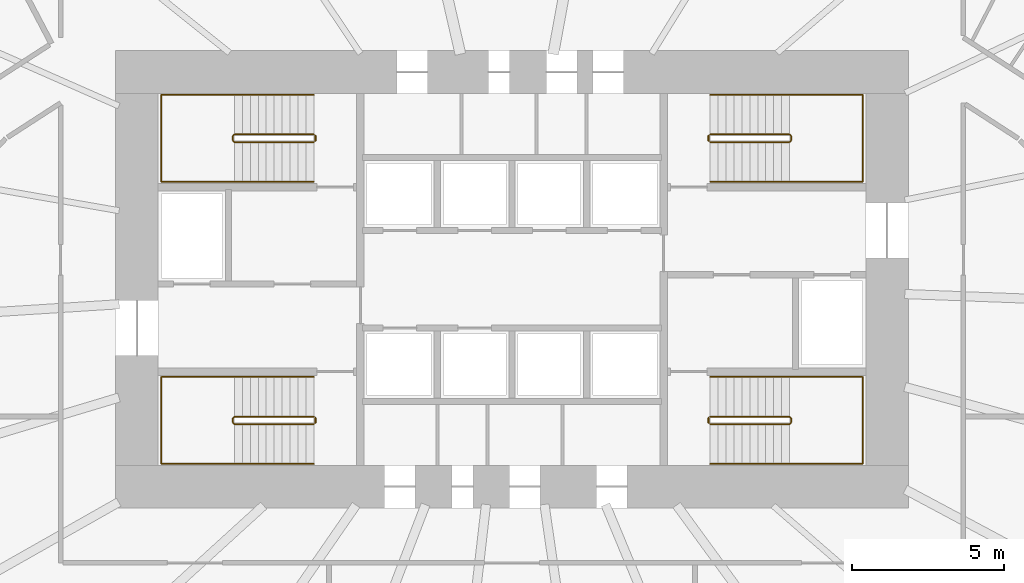
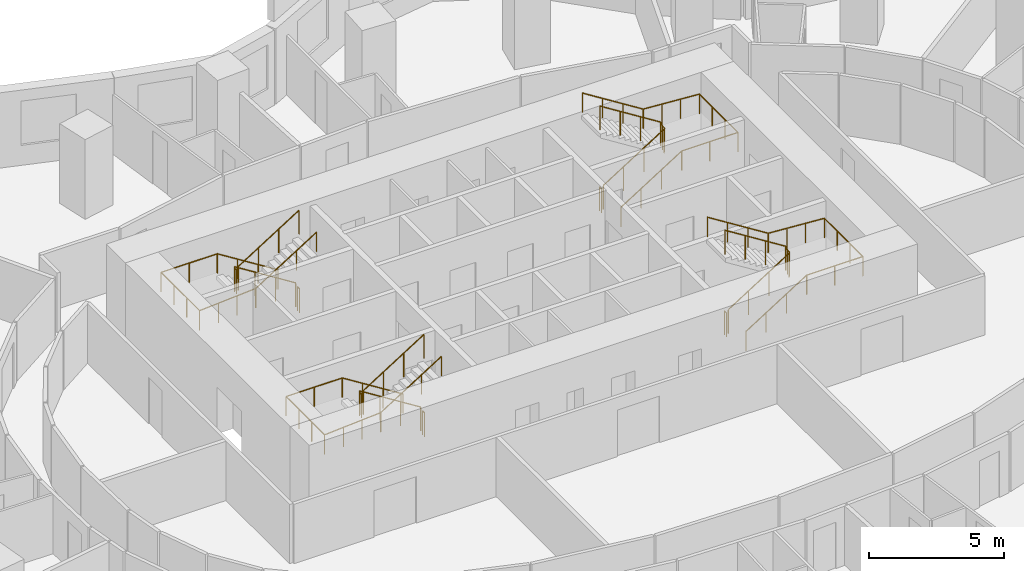
# One storey, part 11 of 11: 12 railings.
"""IFC4 building model written with IfcOpenShell, lengths in metres."""

from ifc_helpers import new_model, si_unit, direction, frame, origin, origin_2d, place, context, subcontext, project, spatial, circle, extrude, material, type_object, element, save


model = new_model("IFC4")

# Units and contexts
model_context = context("Model", 3, precision=1e-05, world=origin(), true_north=direction((0.0, 1.0)))
body_context = subcontext(model_context, "Body", "Model", "MODEL_VIEW")
ifc_project = project(units=[si_unit("LENGTHUNIT", "METRE"), si_unit("AREAUNIT", "SQUARE_METRE"), si_unit("VOLUMEUNIT", "CUBIC_METRE"), si_unit("PLANEANGLEUNIT", "RADIAN"), si_unit("MASSUNIT", "GRAM", prefix="KILO")], contexts=[model_context])

# Site, building, storey
site_placement = place(None, origin())
site = spatial("IfcSite", under=ifc_project, at=site_placement, CompositionType="ELEMENT")
building_placement = place(site_placement, origin())
building = spatial("IfcBuilding", under=site, at=building_placement, Name="Rubra Terraces Tower", CompositionType="ELEMENT")
storey_placement = place(building_placement, frame((0.0, 0.0, 66.300048828125)))
storey = spatial("IfcBuildingStorey", under=building, at=storey_placement, Name="L14", CompositionType="ELEMENT", Elevation=66.300048828125)

# Railings
ifc_material = material(Name="Stainless steel", Category="steel")
railing_type_1 = type_object("IfcRailingType", Name="Core stair guard 1100", PredefinedType="GUARDRAIL", material=ifc_material)
railing_1_placement = place(storey_placement, frame((-6.5, 0.0, 0.16357421875)))
element("IfcRailing", 1, at=railing_1_placement, inside=storey, type_object=railing_type_1, Name="L14 stair S1 guard 1", PredefinedType="GUARDRAIL", context=body_context, shape_type="SweptSolid", body=[
    extrude(circle(Radius=0.02392578125, at=origin_2d()), frame((0.0, 0.0, 1.076171875), z_axis=(-0.846324394277, 0.0, 0.532667832379), x_axis=(0.0, -1.0, 0.0)), (0.0, 0.0, 1.0), 3.072265625),
    extrude(circle(Radius=0.02392578125, at=origin_2d()), frame((-2.60009765625, 0.0, 2.71240234375), z_axis=(-0.705375805398, -0.708833529934, 0.0), x_axis=(0.708833529934, -0.705375805398, 0.0)), (0.0, 0.0, 1.0), 0.070556640625),
    extrude(circle(Radius=0.02392578125, at=origin_2d()), frame((-2.64990234375, -0.050048828125, 2.71240234375), z_axis=(0.0, -1.0, 0.0), x_axis=(1.0, 0.0, 0.0)), (0.0, 0.0, 1.0), 0.14990234375),
    extrude(circle(Radius=0.02392578125, at=origin_2d()), frame((-2.64990234375, -0.199951171875, 2.71240234375), z_axis=(0.279546231943, -0.280916556609, 0.91811752648), x_axis=(0.708833529934, 0.705375805398, 0.0)), (0.0, 0.0, 1.0), 0.17822265625),
    extrude(circle(Radius=0.02392578125, at=origin_2d()), frame((-2.60009765625, -0.25, 2.8759765625), z_axis=(0.846360218416, 0.0, 0.532610909279), x_axis=(0.0, 1.0, 0.0)), (0.0, 0.0, 1.0), 3.072021484375),
    extrude(circle(Radius=0.02099609375, at=origin_2d()), origin(), (0.0, 0.0, 1.0), 1.052001953125),
    extrude(circle(Radius=0.02099609375, at=origin_2d()), frame((-0.86669921875, 0.0, 0.54541015625)), (0.0, 0.0, 1.0), 1.052001953125),
    extrude(circle(Radius=0.02099609375, at=origin_2d()), frame((-1.7333984375, 0.0, 1.091064453125)), (0.0, 0.0, 1.0), 1.052001953125),
    extrude(circle(Radius=0.02099609375, at=origin_2d()), frame((-2.60009765625, 0.0, 1.636474609375)), (0.0, 0.0, 1.0), 1.052001953125),
    extrude(circle(Radius=0.02099609375, at=origin_2d()), frame((-2.64990234375, -0.050048828125, 1.636474609375)), (0.0, 0.0, 1.0), 1.052001953125),
    extrude(circle(Radius=0.02099609375, at=origin_2d()), frame((-2.64990234375, -0.199951171875, 1.636474609375)), (0.0, 0.0, 1.0), 1.052001953125),
    extrude(circle(Radius=0.02099609375, at=origin_2d()), frame((-2.60009765625, -0.25, 1.800048828125)), (0.0, 0.0, 1.0), 1.052001953125),
    extrude(circle(Radius=0.02099609375, at=origin_2d()), frame((-1.7333984375, -0.25, 2.345458984375)), (0.0, 0.0, 1.0), 1.052001953125),
    extrude(circle(Radius=0.02099609375, at=origin_2d()), frame((-0.86669921875, -0.25, 2.890869140625)), (0.0, 0.0, 1.0), 1.052001953125),
    extrude(circle(Radius=0.02099609375, at=origin_2d()), frame((0.0, -0.25, 3.436279296875)), (0.0, 0.0, 1.0), 1.052001953125),
])
railing_2_placement = place(storey_placement, frame((-6.449951171875, -0.050048828125, 0.0)))
element("IfcRailing", 2, at=railing_2_placement, inside=storey, type_object=railing_type_1, Name="L14 stair S1 guard 2", PredefinedType="GUARDRAIL", context=body_context, shape_type="SweptSolid", body=[
    extrude(circle(Radius=0.02392578125, at=origin_2d()), frame((0.0, 0.0, 1.076171875), z_axis=(0.0, -1.0, 0.0), x_axis=(1.0, 0.0, 0.0)), (0.0, 0.0, 1.0), 0.14990234375),
    extrude(circle(Radius=0.02099609375, at=origin_2d()), origin(), (0.0, 0.0, 1.0), 1.052001953125),
    extrude(circle(Radius=0.02099609375, at=origin_2d()), frame((0.0, -0.14990234375, 0.0)), (0.0, 0.0, 1.0), 1.052001953125),
])
railing_3_placement = place(storey_placement, frame((-6.5, 9.25, 0.16357421875)))
element("IfcRailing", 3, at=railing_3_placement, inside=storey, type_object=railing_type_1, Name="L14 stair S2 guard 1", PredefinedType="GUARDRAIL", context=body_context, shape_type="SweptSolid", body=[
    extrude(circle(Radius=0.02392578125, at=origin_2d()), frame((0.0, 0.0, 1.076171875), z_axis=(-0.846324394277, 0.0, 0.532667832379), x_axis=(0.0, -1.0, 0.0)), (0.0, 0.0, 1.0), 3.072265625),
    extrude(circle(Radius=0.02392578125, at=origin_2d()), frame((-2.60009765625, 0.0, 2.71240234375), z_axis=(-0.705375805398, -0.708833529934, 0.0), x_axis=(0.708833529934, -0.705375805398, 0.0)), (0.0, 0.0, 1.0), 0.070556640625),
    extrude(circle(Radius=0.02392578125, at=origin_2d()), frame((-2.64990234375, -0.050048828125, 2.71240234375), z_axis=(0.0, -1.0, 0.0), x_axis=(1.0, 0.0, 0.0)), (0.0, 0.0, 1.0), 0.14990234375),
    extrude(circle(Radius=0.02392578125, at=origin_2d()), frame((-2.64990234375, -0.199951171875, 2.71240234375), z_axis=(0.279546231943, -0.280916556609, 0.91811752648), x_axis=(0.708833529934, 0.705375805398, 0.0)), (0.0, 0.0, 1.0), 0.17822265625),
    extrude(circle(Radius=0.02392578125, at=origin_2d()), frame((-2.60009765625, -0.25, 2.8759765625), z_axis=(0.846360218416, 0.0, 0.532610909279), x_axis=(0.0, 1.0, 0.0)), (0.0, 0.0, 1.0), 3.072021484375),
    extrude(circle(Radius=0.02099609375, at=origin_2d()), origin(), (0.0, 0.0, 1.0), 1.052001953125),
    extrude(circle(Radius=0.02099609375, at=origin_2d()), frame((-0.86669921875, 0.0, 0.54541015625)), (0.0, 0.0, 1.0), 1.052001953125),
    extrude(circle(Radius=0.02099609375, at=origin_2d()), frame((-1.7333984375, 0.0, 1.091064453125)), (0.0, 0.0, 1.0), 1.052001953125),
    extrude(circle(Radius=0.02099609375, at=origin_2d()), frame((-2.60009765625, 0.0, 1.636474609375)), (0.0, 0.0, 1.0), 1.052001953125),
    extrude(circle(Radius=0.02099609375, at=origin_2d()), frame((-2.64990234375, -0.050048828125, 1.636474609375)), (0.0, 0.0, 1.0), 1.052001953125),
    extrude(circle(Radius=0.02099609375, at=origin_2d()), frame((-2.64990234375, -0.199951171875, 1.636474609375)), (0.0, 0.0, 1.0), 1.052001953125),
    extrude(circle(Radius=0.02099609375, at=origin_2d()), frame((-2.60009765625, -0.25, 1.800048828125)), (0.0, 0.0, 1.0), 1.052001953125),
    extrude(circle(Radius=0.02099609375, at=origin_2d()), frame((-1.7333984375, -0.25, 2.345458984375)), (0.0, 0.0, 1.0), 1.052001953125),
    extrude(circle(Radius=0.02099609375, at=origin_2d()), frame((-0.86669921875, -0.25, 2.890869140625)), (0.0, 0.0, 1.0), 1.052001953125),
    extrude(circle(Radius=0.02099609375, at=origin_2d()), frame((0.0, -0.25, 3.436279296875)), (0.0, 0.0, 1.0), 1.052001953125),
])
railing_4_placement = place(storey_placement, frame((-6.449951171875, 9.199951171875, 0.0)))
element("IfcRailing", 4, at=railing_4_placement, inside=storey, type_object=railing_type_1, Name="L14 stair S2 guard 2", PredefinedType="GUARDRAIL", context=body_context, shape_type="SweptSolid", body=[
    extrude(circle(Radius=0.02392578125, at=origin_2d()), frame((0.0, 0.0, 1.076171875), z_axis=(0.0, -1.0, 0.0), x_axis=(1.0, 0.0, 0.0)), (0.0, 0.0, 1.0), 0.14990234375),
    extrude(circle(Radius=0.02099609375, at=origin_2d()), origin(), (0.0, 0.0, 1.0), 1.052001953125),
    extrude(circle(Radius=0.02099609375, at=origin_2d()), frame((0.0, -0.14990234375, 0.0)), (0.0, 0.0, 1.0), 1.052001953125),
])
railing_5_placement = place(storey_placement, frame((6.5, 9.0, 0.16357421875)))
element("IfcRailing", 5, at=railing_5_placement, inside=storey, type_object=railing_type_1, Name="L14 stair S3 guard 1", PredefinedType="GUARDRAIL", context=body_context, shape_type="SweptSolid", body=[
    extrude(circle(Radius=0.02392578125, at=origin_2d()), frame((0.0, 0.0, 1.076171875), z_axis=(0.846324394277, 0.0, 0.532667832379), x_axis=(0.0, 1.0, 0.0)), (0.0, 0.0, 1.0), 3.072265625),
    extrude(circle(Radius=0.02392578125, at=origin_2d()), frame((2.60009765625, 0.0, 2.71240234375), z_axis=(0.705375805398, 0.708833529934, 0.0), x_axis=(-0.708833529934, 0.705375805398, 0.0)), (0.0, 0.0, 1.0), 0.070556640625),
    extrude(circle(Radius=0.02392578125, at=origin_2d()), frame((2.64990234375, 0.050048828125, 2.71240234375), z_axis=(0.0, 1.0, 0.0), x_axis=(-1.0, 0.0, 0.0)), (0.0, 0.0, 1.0), 0.14990234375),
    extrude(circle(Radius=0.02392578125, at=origin_2d()), frame((2.64990234375, 0.199951171875, 2.71240234375), z_axis=(-0.279546231943, 0.280916556609, 0.91811752648), x_axis=(-0.708833529934, -0.705375805398, 0.0)), (0.0, 0.0, 1.0), 0.17822265625),
    extrude(circle(Radius=0.02392578125, at=origin_2d()), frame((2.60009765625, 0.25, 2.8759765625), z_axis=(-0.846360218416, 0.0, 0.532610909279), x_axis=(0.0, -1.0, 0.0)), (0.0, 0.0, 1.0), 3.072021484375),
    extrude(circle(Radius=0.02099609375, at=origin_2d()), origin(), (0.0, 0.0, 1.0), 1.052001953125),
    extrude(circle(Radius=0.02099609375, at=origin_2d()), frame((0.86669921875, 0.0, 0.54541015625)), (0.0, 0.0, 1.0), 1.052001953125),
    extrude(circle(Radius=0.02099609375, at=origin_2d()), frame((1.7333984375, 0.0, 1.091064453125)), (0.0, 0.0, 1.0), 1.052001953125),
    extrude(circle(Radius=0.02099609375, at=origin_2d()), frame((2.60009765625, 0.0, 1.636474609375)), (0.0, 0.0, 1.0), 1.052001953125),
    extrude(circle(Radius=0.02099609375, at=origin_2d()), frame((2.64990234375, 0.050048828125, 1.636474609375)), (0.0, 0.0, 1.0), 1.052001953125),
    extrude(circle(Radius=0.02099609375, at=origin_2d()), frame((2.64990234375, 0.199951171875, 1.636474609375)), (0.0, 0.0, 1.0), 1.052001953125),
    extrude(circle(Radius=0.02099609375, at=origin_2d()), frame((2.60009765625, 0.25, 1.800048828125)), (0.0, 0.0, 1.0), 1.052001953125),
    extrude(circle(Radius=0.02099609375, at=origin_2d()), frame((1.7333984375, 0.25, 2.345458984375)), (0.0, 0.0, 1.0), 1.052001953125),
    extrude(circle(Radius=0.02099609375, at=origin_2d()), frame((0.86669921875, 0.25, 2.890869140625)), (0.0, 0.0, 1.0), 1.052001953125),
    extrude(circle(Radius=0.02099609375, at=origin_2d()), frame((0.0, 0.25, 3.436279296875)), (0.0, 0.0, 1.0), 1.052001953125),
])
railing_6_placement = place(storey_placement, frame((6.449951171875, 9.050048828125, 0.0)))
element("IfcRailing", 6, at=railing_6_placement, inside=storey, type_object=railing_type_1, Name="L14 stair S3 guard 2", PredefinedType="GUARDRAIL", context=body_context, shape_type="SweptSolid", body=[
    extrude(circle(Radius=0.02392578125, at=origin_2d()), frame((0.0, 0.0, 1.076171875), z_axis=(0.0, 1.0, 0.0), x_axis=(-1.0, 0.0, 0.0)), (0.0, 0.0, 1.0), 0.14990234375),
    extrude(circle(Radius=0.02099609375, at=origin_2d()), origin(), (0.0, 0.0, 1.0), 1.052001953125),
    extrude(circle(Radius=0.02099609375, at=origin_2d()), frame((0.0, 0.14990234375, 0.0)), (0.0, 0.0, 1.0), 1.052001953125),
])
railing_7_placement = place(storey_placement, frame((6.5, -0.25, 0.16357421875)))
element("IfcRailing", 7, at=railing_7_placement, inside=storey, type_object=railing_type_1, Name="L14 stair S4 guard 1", PredefinedType="GUARDRAIL", context=body_context, shape_type="SweptSolid", body=[
    extrude(circle(Radius=0.02392578125, at=origin_2d()), frame((0.0, 0.0, 1.076171875), z_axis=(0.846324394277, 0.0, 0.532667832379), x_axis=(0.0, 1.0, 0.0)), (0.0, 0.0, 1.0), 3.072265625),
    extrude(circle(Radius=0.02392578125, at=origin_2d()), frame((2.60009765625, 0.0, 2.71240234375), z_axis=(0.705375805398, 0.708833529934, 0.0), x_axis=(-0.708833529934, 0.705375805398, 0.0)), (0.0, 0.0, 1.0), 0.070556640625),
    extrude(circle(Radius=0.02392578125, at=origin_2d()), frame((2.64990234375, 0.050048828125, 2.71240234375), z_axis=(0.0, 1.0, 0.0), x_axis=(-1.0, 0.0, 0.0)), (0.0, 0.0, 1.0), 0.14990234375),
    extrude(circle(Radius=0.02392578125, at=origin_2d()), frame((2.64990234375, 0.199951171875, 2.71240234375), z_axis=(-0.279546231943, 0.280916556609, 0.91811752648), x_axis=(-0.708833529934, -0.705375805398, 0.0)), (0.0, 0.0, 1.0), 0.17822265625),
    extrude(circle(Radius=0.02392578125, at=origin_2d()), frame((2.60009765625, 0.25, 2.8759765625), z_axis=(-0.846360218416, 0.0, 0.532610909279), x_axis=(0.0, -1.0, 0.0)), (0.0, 0.0, 1.0), 3.072021484375),
    extrude(circle(Radius=0.02099609375, at=origin_2d()), origin(), (0.0, 0.0, 1.0), 1.052001953125),
    extrude(circle(Radius=0.02099609375, at=origin_2d()), frame((0.86669921875, 0.0, 0.54541015625)), (0.0, 0.0, 1.0), 1.052001953125),
    extrude(circle(Radius=0.02099609375, at=origin_2d()), frame((1.7333984375, 0.0, 1.091064453125)), (0.0, 0.0, 1.0), 1.052001953125),
    extrude(circle(Radius=0.02099609375, at=origin_2d()), frame((2.60009765625, 0.0, 1.636474609375)), (0.0, 0.0, 1.0), 1.052001953125),
    extrude(circle(Radius=0.02099609375, at=origin_2d()), frame((2.64990234375, 0.050048828125, 1.636474609375)), (0.0, 0.0, 1.0), 1.052001953125),
    extrude(circle(Radius=0.02099609375, at=origin_2d()), frame((2.64990234375, 0.199951171875, 1.636474609375)), (0.0, 0.0, 1.0), 1.052001953125),
    extrude(circle(Radius=0.02099609375, at=origin_2d()), frame((2.60009765625, 0.25, 1.800048828125)), (0.0, 0.0, 1.0), 1.052001953125),
    extrude(circle(Radius=0.02099609375, at=origin_2d()), frame((1.7333984375, 0.25, 2.345458984375)), (0.0, 0.0, 1.0), 1.052001953125),
    extrude(circle(Radius=0.02099609375, at=origin_2d()), frame((0.86669921875, 0.25, 2.890869140625)), (0.0, 0.0, 1.0), 1.052001953125),
    extrude(circle(Radius=0.02099609375, at=origin_2d()), frame((0.0, 0.25, 3.436279296875)), (0.0, 0.0, 1.0), 1.052001953125),
])
railing_8_placement = place(storey_placement, frame((6.449951171875, -0.199951171875, 0.0)))
element("IfcRailing", 8, at=railing_8_placement, inside=storey, type_object=railing_type_1, Name="L14 stair S4 guard 2", PredefinedType="GUARDRAIL", context=body_context, shape_type="SweptSolid", body=[
    extrude(circle(Radius=0.02392578125, at=origin_2d()), frame((0.0, 0.0, 1.076171875), z_axis=(0.0, 1.0, 0.0), x_axis=(-1.0, 0.0, 0.0)), (0.0, 0.0, 1.0), 0.14990234375),
    extrude(circle(Radius=0.02099609375, at=origin_2d()), origin(), (0.0, 0.0, 1.0), 1.052001953125),
    extrude(circle(Radius=0.02099609375, at=origin_2d()), frame((0.0, 0.14990234375, 0.0)), (0.0, 0.0, 1.0), 1.052001953125),
])
railing_type_2 = type_object("IfcRailingType", Name="Core stair handrail 900", PredefinedType="HANDRAIL", material=ifc_material)
railing_9_placement = place(storey_placement, frame((-6.5, 1.300048828125, 0.16357421875)))
element("IfcRailing", 9, at=railing_9_placement, inside=storey, type_object=railing_type_2, Name="L14 stair S1 handrail 1", PredefinedType="HANDRAIL", context=body_context, shape_type="SweptSolid", body=[
    extrude(circle(Radius=0.02392578125, at=origin_2d()), frame((0.0, 0.0, 0.8759765625), z_axis=(-0.846324394277, 0.0, 0.532667832379), x_axis=(0.0, -1.0, 0.0)), (0.0, 0.0, 1.0), 3.072265625),
    extrude(circle(Radius=0.02392578125, at=origin_2d()), frame((-2.60009765625, 0.0, 2.51220703125), z_axis=(-1.0, 0.0, 0.0), x_axis=(0.0, -1.0, 0.0)), (0.0, 0.0, 1.0), 2.39990234375),
    extrude(circle(Radius=0.02392578125, at=origin_2d()), frame((-5.0, 0.0, 2.51220703125), z_axis=(0.0, -1.0, 0.0), x_axis=(1.0, 0.0, 0.0)), (0.0, 0.0, 1.0), 2.85009765625),
    extrude(circle(Radius=0.02392578125, at=origin_2d()), frame((-5.0, -2.85009765625, 2.51220703125), z_axis=(0.997685257876, 0.0, 0.068000928055), x_axis=(0.0, 1.0, 0.0)), (0.0, 0.0, 1.0), 2.405517578125),
    extrude(circle(Radius=0.02392578125, at=origin_2d()), frame((-2.60009765625, -2.85009765625, 2.67578125), z_axis=(0.846360218416, 0.0, 0.532610909279), x_axis=(0.0, 1.0, 0.0)), (0.0, 0.0, 1.0), 3.072021484375),
    extrude(circle(Radius=0.02099609375, at=origin_2d()), origin(), (0.0, 0.0, 1.0), 0.851806640625),
    extrude(circle(Radius=0.02099609375, at=origin_2d()), frame((-0.86669921875, 0.0, 0.54541015625)), (0.0, 0.0, 1.0), 0.851806640625),
    extrude(circle(Radius=0.02099609375, at=origin_2d()), frame((-1.7333984375, 0.0, 1.091064453125)), (0.0, 0.0, 1.0), 0.851806640625),
    extrude(circle(Radius=0.02099609375, at=origin_2d()), frame((-2.60009765625, 0.0, 1.636474609375)), (0.0, 0.0, 1.0), 0.851806640625),
    extrude(circle(Radius=0.02099609375, at=origin_2d()), frame((-3.800048828125, 0.0, 1.636474609375)), (0.0, 0.0, 1.0), 0.851806640625),
    extrude(circle(Radius=0.02099609375, at=origin_2d()), frame((-5.0, 0.0, 1.636474609375)), (0.0, 0.0, 1.0), 0.851806640625),
    extrude(circle(Radius=0.02099609375, at=origin_2d()), frame((-5.0, -0.949951171875, 1.636474609375)), (0.0, 0.0, 1.0), 0.851806640625),
    extrude(circle(Radius=0.02099609375, at=origin_2d()), frame((-5.0, -1.900146484375, 1.636474609375)), (0.0, 0.0, 1.0), 0.851806640625),
    extrude(circle(Radius=0.02099609375, at=origin_2d()), frame((-5.0, -2.85009765625, 1.636474609375)), (0.0, 0.0, 1.0), 0.851806640625),
    extrude(circle(Radius=0.02099609375, at=origin_2d()), frame((-4.199951171875, -2.85009765625, 1.69091796875)), (0.0, 0.0, 1.0), 0.851806640625),
    extrude(circle(Radius=0.02099609375, at=origin_2d()), frame((-3.400146484375, -2.85009765625, 1.74560546875)), (0.0, 0.0, 1.0), 0.851806640625),
    extrude(circle(Radius=0.02099609375, at=origin_2d()), frame((-2.60009765625, -2.85009765625, 1.800048828125)), (0.0, 0.0, 1.0), 0.851806640625),
    extrude(circle(Radius=0.02099609375, at=origin_2d()), frame((-1.7333984375, -2.85009765625, 2.345458984375)), (0.0, 0.0, 1.0), 0.851806640625),
    extrude(circle(Radius=0.02099609375, at=origin_2d()), frame((-0.86669921875, -2.85009765625, 2.890869140625)), (0.0, 0.0, 1.0), 0.851806640625),
    extrude(circle(Radius=0.02099609375, at=origin_2d()), frame((0.0, -2.85009765625, 3.436279296875)), (0.0, 0.0, 1.0), 0.851806640625),
])
railing_10_placement = place(storey_placement, frame((-6.5, 10.550048828125, 0.16357421875)))
element("IfcRailing", 10, at=railing_10_placement, inside=storey, type_object=railing_type_2, Name="L14 stair S2 handrail 1", PredefinedType="HANDRAIL", context=body_context, shape_type="SweptSolid", body=[
    extrude(circle(Radius=0.02392578125, at=origin_2d()), frame((0.0, 0.0, 0.8759765625), z_axis=(-0.846324394277, 0.0, 0.532667832379), x_axis=(0.0, -1.0, 0.0)), (0.0, 0.0, 1.0), 3.072265625),
    extrude(circle(Radius=0.02392578125, at=origin_2d()), frame((-2.60009765625, 0.0, 2.51220703125), z_axis=(-1.0, 0.0, 0.0), x_axis=(0.0, -1.0, 0.0)), (0.0, 0.0, 1.0), 2.39990234375),
    extrude(circle(Radius=0.02392578125, at=origin_2d()), frame((-5.0, 0.0, 2.51220703125), z_axis=(0.0, -1.0, 0.0), x_axis=(1.0, 0.0, 0.0)), (0.0, 0.0, 1.0), 2.85009765625),
    extrude(circle(Radius=0.02392578125, at=origin_2d()), frame((-5.0, -2.85009765625, 2.51220703125), z_axis=(0.997685257876, 0.0, 0.068000928055), x_axis=(0.0, 1.0, 0.0)), (0.0, 0.0, 1.0), 2.405517578125),
    extrude(circle(Radius=0.02392578125, at=origin_2d()), frame((-2.60009765625, -2.85009765625, 2.67578125), z_axis=(0.846360218416, 0.0, 0.532610909279), x_axis=(0.0, 1.0, 0.0)), (0.0, 0.0, 1.0), 3.072021484375),
    extrude(circle(Radius=0.02099609375, at=origin_2d()), origin(), (0.0, 0.0, 1.0), 0.851806640625),
    extrude(circle(Radius=0.02099609375, at=origin_2d()), frame((-0.86669921875, 0.0, 0.54541015625)), (0.0, 0.0, 1.0), 0.851806640625),
    extrude(circle(Radius=0.02099609375, at=origin_2d()), frame((-1.7333984375, 0.0, 1.091064453125)), (0.0, 0.0, 1.0), 0.851806640625),
    extrude(circle(Radius=0.02099609375, at=origin_2d()), frame((-2.60009765625, 0.0, 1.636474609375)), (0.0, 0.0, 1.0), 0.851806640625),
    extrude(circle(Radius=0.02099609375, at=origin_2d()), frame((-3.800048828125, 0.0, 1.636474609375)), (0.0, 0.0, 1.0), 0.851806640625),
    extrude(circle(Radius=0.02099609375, at=origin_2d()), frame((-5.0, 0.0, 1.636474609375)), (0.0, 0.0, 1.0), 0.851806640625),
    extrude(circle(Radius=0.02099609375, at=origin_2d()), frame((-5.0, -0.949951171875, 1.636474609375)), (0.0, 0.0, 1.0), 0.851806640625),
    extrude(circle(Radius=0.02099609375, at=origin_2d()), frame((-5.0, -1.900146484375, 1.636474609375)), (0.0, 0.0, 1.0), 0.851806640625),
    extrude(circle(Radius=0.02099609375, at=origin_2d()), frame((-5.0, -2.85009765625, 1.636474609375)), (0.0, 0.0, 1.0), 0.851806640625),
    extrude(circle(Radius=0.02099609375, at=origin_2d()), frame((-4.199951171875, -2.85009765625, 1.69091796875)), (0.0, 0.0, 1.0), 0.851806640625),
    extrude(circle(Radius=0.02099609375, at=origin_2d()), frame((-3.400146484375, -2.85009765625, 1.74560546875)), (0.0, 0.0, 1.0), 0.851806640625),
    extrude(circle(Radius=0.02099609375, at=origin_2d()), frame((-2.60009765625, -2.85009765625, 1.800048828125)), (0.0, 0.0, 1.0), 0.851806640625),
    extrude(circle(Radius=0.02099609375, at=origin_2d()), frame((-1.7333984375, -2.85009765625, 2.345458984375)), (0.0, 0.0, 1.0), 0.851806640625),
    extrude(circle(Radius=0.02099609375, at=origin_2d()), frame((-0.86669921875, -2.85009765625, 2.890869140625)), (0.0, 0.0, 1.0), 0.851806640625),
    extrude(circle(Radius=0.02099609375, at=origin_2d()), frame((0.0, -2.85009765625, 3.436279296875)), (0.0, 0.0, 1.0), 0.851806640625),
])
railing_11_placement = place(storey_placement, frame((6.5, 7.699951171875, 0.16357421875)))
element("IfcRailing", 11, at=railing_11_placement, inside=storey, type_object=railing_type_2, Name="L14 stair S3 handrail 1", PredefinedType="HANDRAIL", context=body_context, shape_type="SweptSolid", body=[
    extrude(circle(Radius=0.02392578125, at=origin_2d()), frame((0.0, 0.0, 0.8759765625), z_axis=(0.846324394277, 0.0, 0.532667832379), x_axis=(0.0, 1.0, 0.0)), (0.0, 0.0, 1.0), 3.072265625),
    extrude(circle(Radius=0.02392578125, at=origin_2d()), frame((2.60009765625, 0.0, 2.51220703125), z_axis=(1.0, 0.0, 0.0), x_axis=(0.0, 1.0, 0.0)), (0.0, 0.0, 1.0), 2.39990234375),
    extrude(circle(Radius=0.02392578125, at=origin_2d()), frame((5.0, 0.0, 2.51220703125), z_axis=(0.0, 1.0, 0.0), x_axis=(-1.0, 0.0, 0.0)), (0.0, 0.0, 1.0), 2.85009765625),
    extrude(circle(Radius=0.02392578125, at=origin_2d()), frame((5.0, 2.85009765625, 2.51220703125), z_axis=(-0.997685257876, 0.0, 0.068000928055), x_axis=(0.0, -1.0, 0.0)), (0.0, 0.0, 1.0), 2.405517578125),
    extrude(circle(Radius=0.02392578125, at=origin_2d()), frame((2.60009765625, 2.85009765625, 2.67578125), z_axis=(-0.846360218416, 0.0, 0.532610909279), x_axis=(0.0, -1.0, 0.0)), (0.0, 0.0, 1.0), 3.072021484375),
    extrude(circle(Radius=0.02099609375, at=origin_2d()), origin(), (0.0, 0.0, 1.0), 0.851806640625),
    extrude(circle(Radius=0.02099609375, at=origin_2d()), frame((0.86669921875, 0.0, 0.54541015625)), (0.0, 0.0, 1.0), 0.851806640625),
    extrude(circle(Radius=0.02099609375, at=origin_2d()), frame((1.7333984375, 0.0, 1.091064453125)), (0.0, 0.0, 1.0), 0.851806640625),
    extrude(circle(Radius=0.02099609375, at=origin_2d()), frame((2.60009765625, 0.0, 1.636474609375)), (0.0, 0.0, 1.0), 0.851806640625),
    extrude(circle(Radius=0.02099609375, at=origin_2d()), frame((3.800048828125, 0.0, 1.636474609375)), (0.0, 0.0, 1.0), 0.851806640625),
    extrude(circle(Radius=0.02099609375, at=origin_2d()), frame((5.0, 0.0, 1.636474609375)), (0.0, 0.0, 1.0), 0.851806640625),
    extrude(circle(Radius=0.02099609375, at=origin_2d()), frame((5.0, 0.949951171875, 1.636474609375)), (0.0, 0.0, 1.0), 0.851806640625),
    extrude(circle(Radius=0.02099609375, at=origin_2d()), frame((5.0, 1.900146484375, 1.636474609375)), (0.0, 0.0, 1.0), 0.851806640625),
    extrude(circle(Radius=0.02099609375, at=origin_2d()), frame((5.0, 2.85009765625, 1.636474609375)), (0.0, 0.0, 1.0), 0.851806640625),
    extrude(circle(Radius=0.02099609375, at=origin_2d()), frame((4.199951171875, 2.85009765625, 1.69091796875)), (0.0, 0.0, 1.0), 0.851806640625),
    extrude(circle(Radius=0.02099609375, at=origin_2d()), frame((3.400146484375, 2.85009765625, 1.74560546875)), (0.0, 0.0, 1.0), 0.851806640625),
    extrude(circle(Radius=0.02099609375, at=origin_2d()), frame((2.60009765625, 2.85009765625, 1.800048828125)), (0.0, 0.0, 1.0), 0.851806640625),
    extrude(circle(Radius=0.02099609375, at=origin_2d()), frame((1.7333984375, 2.85009765625, 2.345458984375)), (0.0, 0.0, 1.0), 0.851806640625),
    extrude(circle(Radius=0.02099609375, at=origin_2d()), frame((0.86669921875, 2.85009765625, 2.890869140625)), (0.0, 0.0, 1.0), 0.851806640625),
    extrude(circle(Radius=0.02099609375, at=origin_2d()), frame((0.0, 2.85009765625, 3.436279296875)), (0.0, 0.0, 1.0), 0.851806640625),
])
railing_12_placement = place(storey_placement, frame((6.5, -1.550048828125, 0.16357421875)))
element("IfcRailing", 12, at=railing_12_placement, inside=storey, type_object=railing_type_2, Name="L14 stair S4 handrail 1", PredefinedType="HANDRAIL", context=body_context, shape_type="SweptSolid", body=[
    extrude(circle(Radius=0.02392578125, at=origin_2d()), frame((0.0, 0.0, 0.8759765625), z_axis=(0.846324394277, 0.0, 0.532667832379), x_axis=(0.0, 1.0, 0.0)), (0.0, 0.0, 1.0), 3.072265625),
    extrude(circle(Radius=0.02392578125, at=origin_2d()), frame((2.60009765625, 0.0, 2.51220703125), z_axis=(1.0, 0.0, 0.0), x_axis=(0.0, 1.0, 0.0)), (0.0, 0.0, 1.0), 2.39990234375),
    extrude(circle(Radius=0.02392578125, at=origin_2d()), frame((5.0, 0.0, 2.51220703125), z_axis=(0.0, 1.0, 0.0), x_axis=(-1.0, 0.0, 0.0)), (0.0, 0.0, 1.0), 2.85009765625),
    extrude(circle(Radius=0.02392578125, at=origin_2d()), frame((5.0, 2.85009765625, 2.51220703125), z_axis=(-0.997685257876, 0.0, 0.068000928055), x_axis=(0.0, -1.0, 0.0)), (0.0, 0.0, 1.0), 2.405517578125),
    extrude(circle(Radius=0.02392578125, at=origin_2d()), frame((2.60009765625, 2.85009765625, 2.67578125), z_axis=(-0.846360218416, 0.0, 0.532610909279), x_axis=(0.0, -1.0, 0.0)), (0.0, 0.0, 1.0), 3.072021484375),
    extrude(circle(Radius=0.02099609375, at=origin_2d()), origin(), (0.0, 0.0, 1.0), 0.851806640625),
    extrude(circle(Radius=0.02099609375, at=origin_2d()), frame((0.86669921875, 0.0, 0.54541015625)), (0.0, 0.0, 1.0), 0.851806640625),
    extrude(circle(Radius=0.02099609375, at=origin_2d()), frame((1.7333984375, 0.0, 1.091064453125)), (0.0, 0.0, 1.0), 0.851806640625),
    extrude(circle(Radius=0.02099609375, at=origin_2d()), frame((2.60009765625, 0.0, 1.636474609375)), (0.0, 0.0, 1.0), 0.851806640625),
    extrude(circle(Radius=0.02099609375, at=origin_2d()), frame((3.800048828125, 0.0, 1.636474609375)), (0.0, 0.0, 1.0), 0.851806640625),
    extrude(circle(Radius=0.02099609375, at=origin_2d()), frame((5.0, 0.0, 1.636474609375)), (0.0, 0.0, 1.0), 0.851806640625),
    extrude(circle(Radius=0.02099609375, at=origin_2d()), frame((5.0, 0.949951171875, 1.636474609375)), (0.0, 0.0, 1.0), 0.851806640625),
    extrude(circle(Radius=0.02099609375, at=origin_2d()), frame((5.0, 1.900146484375, 1.636474609375)), (0.0, 0.0, 1.0), 0.851806640625),
    extrude(circle(Radius=0.02099609375, at=origin_2d()), frame((5.0, 2.85009765625, 1.636474609375)), (0.0, 0.0, 1.0), 0.851806640625),
    extrude(circle(Radius=0.02099609375, at=origin_2d()), frame((4.199951171875, 2.85009765625, 1.69091796875)), (0.0, 0.0, 1.0), 0.851806640625),
    extrude(circle(Radius=0.02099609375, at=origin_2d()), frame((3.400146484375, 2.85009765625, 1.74560546875)), (0.0, 0.0, 1.0), 0.851806640625),
    extrude(circle(Radius=0.02099609375, at=origin_2d()), frame((2.60009765625, 2.85009765625, 1.800048828125)), (0.0, 0.0, 1.0), 0.851806640625),
    extrude(circle(Radius=0.02099609375, at=origin_2d()), frame((1.7333984375, 2.85009765625, 2.345458984375)), (0.0, 0.0, 1.0), 0.851806640625),
    extrude(circle(Radius=0.02099609375, at=origin_2d()), frame((0.86669921875, 2.85009765625, 2.890869140625)), (0.0, 0.0, 1.0), 0.851806640625),
    extrude(circle(Radius=0.02099609375, at=origin_2d()), frame((0.0, 2.85009765625, 3.436279296875)), (0.0, 0.0, 1.0), 0.851806640625),
])

save(model, "model.ifc")
